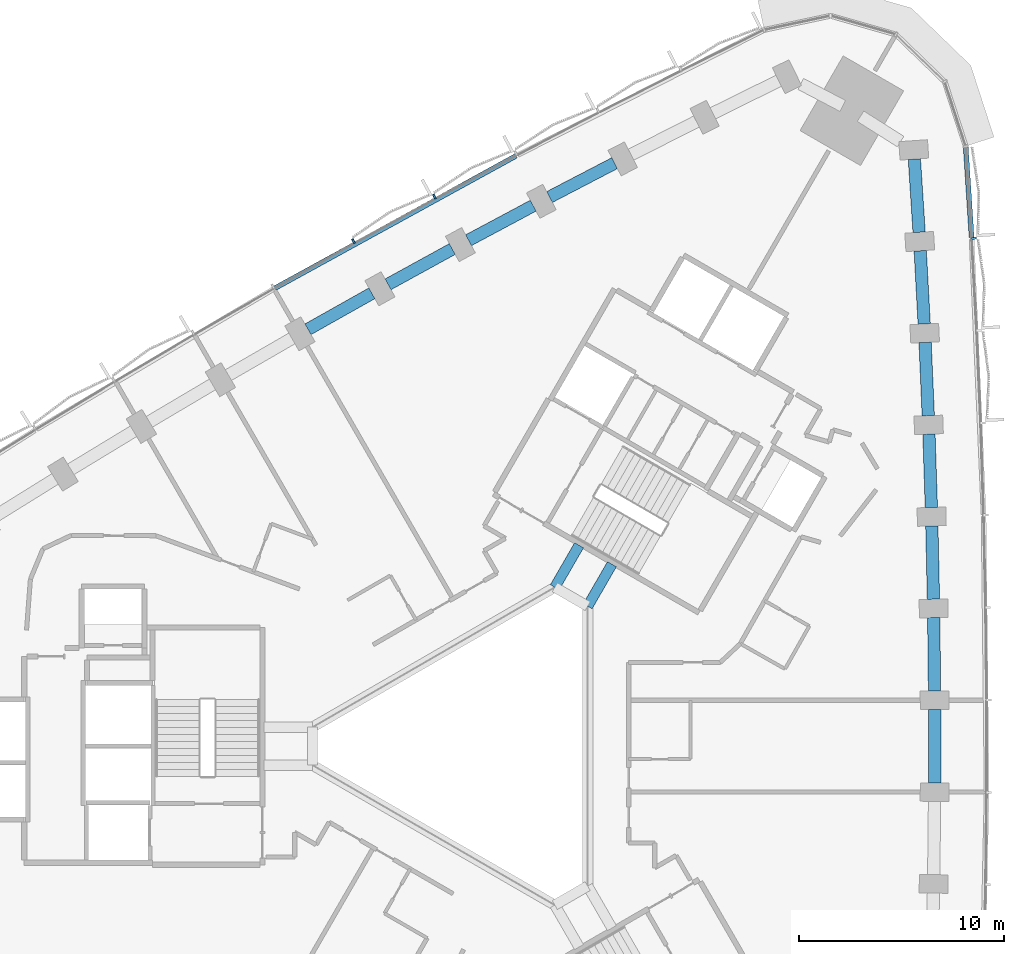
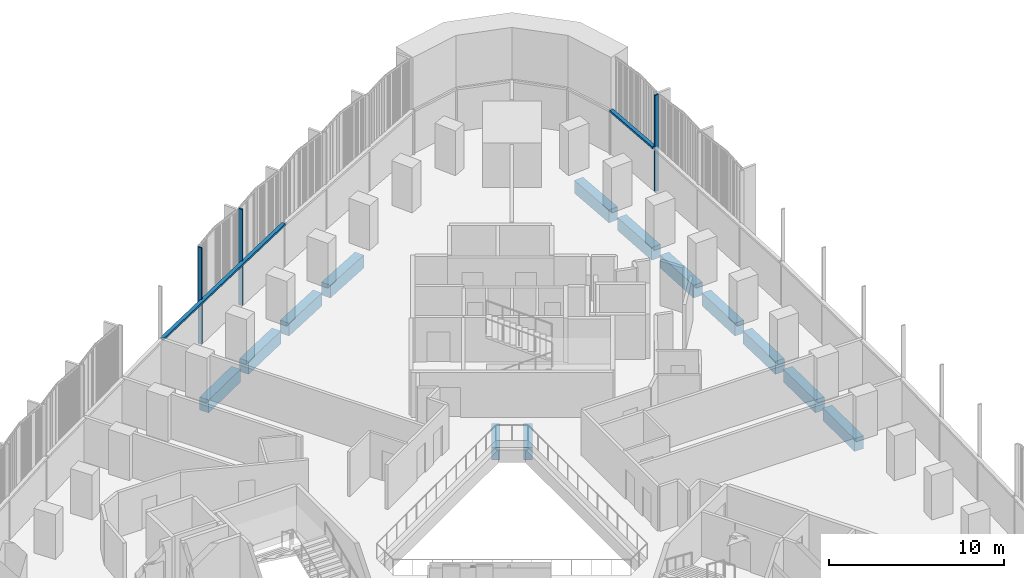
# One storey, part 5 of 16: 13 beams, 5 members, 2 elements without a shape of their own.
"""IFC4 building model written with IfcOpenShell, lengths in metres."""

import ifcopenshell
import ifcopenshell.guid

model = None  # the IFC model being written
_history = None  # IfcOwnerHistory: only IFC2X3 demands one
_inside = {}  # id of a spatial element -> (the spatial element, [elements in it])
_under = {}  # id of a project, library or spatial element -> (it, [spatial elements below it])
_declared = {}  # id of a project -> (the project, [libraries it declares])
_typed = {}  # id of a type object -> (the type object, [elements of that type])
_made_of = {}  # id of a material, layer set ... -> (it, [elements and type objects made of it])


def new_model(schema):
    """Start an empty IFC model of exactly this schema.

    Asked for "IFC4X3", IfcOpenShell would pick the latest addendum, in which some entities
    have other attributes; the version numbers below select the first issue.
    IFC2X3 requires an IfcOwnerHistory on every rooted entity: one is made here for all.
    """
    global model, _history
    if schema == "IFC4X3":
        model = ifcopenshell.file(schema_version=(4, 3, 0, 0))
    else:
        model = ifcopenshell.file(schema=schema)
    _inside.clear()
    _under.clear()
    _declared.clear()
    _typed.clear()
    _made_of.clear()
    _history = None
    if model.schema == "IFC2X3":
        org = make("IfcOrganization", Name="unknown")
        user = make(
            "IfcPersonAndOrganization",
            ThePerson=make("IfcPerson", FamilyName="unknown"),
            TheOrganization=org,
        )
        app = make(
            "IfcApplication",
            ApplicationDeveloper=org,
            Version="unknown",
            ApplicationFullName="unknown",
            ApplicationIdentifier="unknown",
        )
        _history = make(
            "IfcOwnerHistory",
            OwningUser=user,
            OwningApplication=app,
            ChangeAction="ADDED",
            CreationDate=0,
        )
    return model


def make(cls, **values):
    """One entity of the class cls with the attributes given. An attribute that is None is left unset."""
    return model.create_entity(
        cls, **{name: value for name, value in values.items() if value is not None}
    )


def rooted(cls, **values):
    """An entity with a GlobalId (a new one), such as an element, a storey or a relation."""
    return make(cls, GlobalId=ifcopenshell.guid.new(), OwnerHistory=_history, **values)


def si_unit(unit_type, name, prefix=None):
    """IfcSIUnit, for example si_unit("LENGTHUNIT", "METRE", prefix="MILLI")."""
    return make("IfcSIUnit", UnitType=unit_type, Prefix=prefix, Name=name)


def assignment(units):
    """IfcUnitAssignment: the units of a project."""
    return None if units is None else make("IfcUnitAssignment", Units=units)


def point(xyz):
    """IfcCartesianPoint."""
    return None if xyz is None else make("IfcCartesianPoint", Coordinates=xyz)


def direction(xyz):
    """IfcDirection."""
    return None if xyz is None else make("IfcDirection", DirectionRatios=xyz)


def frame(location, z_axis=None, x_axis=None):
    """IfcAxis2Placement3D, a coordinate frame: its origin and axes. An axis left out is left unset."""
    return make(
        "IfcAxis2Placement3D",
        Location=point(location),
        Axis=direction(z_axis),
        RefDirection=direction(x_axis),
    )


def frame_2d(location, x_axis=None):
    """IfcAxis2Placement2D, a coordinate frame in the plane: its origin and x axis."""
    return make(
        "IfcAxis2Placement2D", Location=point(location), RefDirection=direction(x_axis)
    )


def origin():
    """The frame at (0, 0, 0) with its axes left unset."""
    return frame((0.0, 0.0, 0.0))


def origin_2d():
    """The frame at (0, 0) in the plane with its x axis left unset."""
    return frame_2d((0.0, 0.0))


def place(relative_to, where):
    """IfcLocalPlacement: puts the frame where relative to a parent placement (None: the world)."""
    return make(
        "IfcLocalPlacement", PlacementRelTo=relative_to, RelativePlacement=where
    )


def context(
    kind, dimensions, precision=None, world=None, true_north=None, identifier=None
):
    """IfcGeometricRepresentationContext, for example the 3D "Model" context."""
    return make(
        "IfcGeometricRepresentationContext",
        ContextIdentifier=identifier,
        ContextType=kind,
        CoordinateSpaceDimension=dimensions,
        Precision=precision,
        WorldCoordinateSystem=world,
        TrueNorth=true_north,
    )


def subcontext(parent, identifier, kind, view, scale=None):
    """IfcGeometricRepresentationSubContext, for example "Body" below "Model"."""
    return make(
        "IfcGeometricRepresentationSubContext",
        ContextIdentifier=identifier,
        ContextType=kind,
        ParentContext=parent,
        TargetScale=scale,
        TargetView=view,
    )


def project(units=None, contexts=None):
    """IfcProject with its units and contexts."""
    return rooted(
        "IfcProject",
        Name="project",
        RepresentationContexts=contexts,
        UnitsInContext=assignment(units),
    )


def spatial(cls, under=None, at=None, **own):
    """A site, building, storey or space (cls), placed at a placement, below another one or the project."""
    s = rooted(cls, ObjectPlacement=at, **own)
    if under is not None:
        _under.setdefault(under.id(), (under, []))[1].append(s)
    return s


def profile(cls, at=None, kind="AREA", **sizes):
    """A parametric profile (cls). Its sizes go by their IFC names, for example OverallWidth=200.0."""
    return make(cls, ProfileType=kind, Position=at, **sizes)


def rectangle(**sizes):
    """IfcRectangleProfileDef."""
    return profile("IfcRectangleProfileDef", **sizes)


def extrude(swept, where, along, depth):
    """IfcExtrudedAreaSolid: the profile swept, set in the frame where, extruded along a direction by depth."""
    return make(
        "IfcExtrudedAreaSolid",
        SweptArea=swept,
        Position=where,
        ExtrudedDirection=direction(along),
        Depth=depth,
    )


def shape(context_of_items, identifier, shape_type, items):
    """IfcShapeRepresentation: the items that make up one representation, for example the "Body"."""
    return make(
        "IfcShapeRepresentation",
        ContextOfItems=context_of_items,
        RepresentationIdentifier=identifier,
        RepresentationType=shape_type,
        Items=items,
    )


def material(Name=None, Category=None):
    """IfcMaterial."""
    return make("IfcMaterial", Name=Name, Category=Category)


def material_profile(
    of_material, cross_section, Name=None, Category=None, Priority=None
):
    """IfcMaterialProfile: a cross section and its material."""
    return make(
        "IfcMaterialProfile",
        Name=Name,
        Material=of_material,
        Profile=cross_section,
        Priority=Priority,
        Category=Category,
    )


def profile_set(profiles, Name=None, composite=None):
    """IfcMaterialProfileSet."""
    return make(
        "IfcMaterialProfileSet",
        Name=Name,
        MaterialProfiles=profiles,
        CompositeProfile=composite,
    )


def made_of(thing, what):
    """Note that an element or type object is made of a material, layer set ...; save() writes the relation."""
    if what is not None:
        _made_of.setdefault(what.id(), (what, []))[1].append(thing)
    return thing


def type_object(cls, material=None, **own):
    """A type object (cls), such as IfcWallType, which elements share."""
    return made_of(rooted(cls, **own), material)


def element(
    cls,
    number,
    at=None,
    inside=None,
    cuts=None,
    type_object=None,
    material=None,
    context=None,
    identifier="Body",
    shape_type=None,
    held_by="IfcProductDefinitionShape",
    body=None,
    shapes=None,
    **own,
):
    """One element of the class cls, such as IfcWall. Its Tag is "e" and its number.

    at: its placement. inside: the storey or other place that contains it. cuts: it is an
    opening in that element (IfcRelVoidsElement). A single representation is given by context,
    identifier, shape_type and body (its items); several are given by shapes. held_by: the class
    of the entity that holds the representations. save() writes the other relations.
    """
    e = rooted(cls, Tag="e%d" % number, ObjectPlacement=at, **own)
    if body is not None:
        shapes = [shape(context, identifier, shape_type, body)]
    if shapes is not None:
        e.Representation = make(held_by, Representations=shapes)
    if inside is not None:
        _inside.setdefault(inside.id(), (inside, []))[1].append(e)
    if cuts is not None:
        rooted(
            "IfcRelVoidsElement", RelatingBuildingElement=cuts, RelatedOpeningElement=e
        )
    if type_object is not None:
        _typed.setdefault(type_object.id(), (type_object, []))[1].append(e)
    return made_of(e, material)


def aggregate(whole, parts):
    """IfcRelAggregates: a whole, such as a stair, and the parts it consists of."""
    return rooted("IfcRelAggregates", RelatingObject=whole, RelatedObjects=parts)


def save(model, path):
    """Write the relations noted so far, then the file.

    IfcRelAggregates (storeys below a building ...), IfcRelContainedInSpatialStructure (elements
    in a storey), IfcRelDefinesByType, IfcRelAssociatesMaterial and IfcRelDeclares: one each for
    every whole, place, type object, material and project.
    """
    for whole, parts in _under.values():
        aggregate(whole, parts)
    for where, things in _inside.values():
        rooted(
            "IfcRelContainedInSpatialStructure",
            RelatedElements=things,
            RelatingStructure=where,
        )
    for kind, things in _typed.values():
        rooted("IfcRelDefinesByType", RelatedObjects=things, RelatingType=kind)
    for what, things in _made_of.values():
        rooted("IfcRelAssociatesMaterial", RelatedObjects=things, RelatingMaterial=what)
    for by, libraries in _declared.values():
        rooted("IfcRelDeclares", RelatingContext=by, RelatedDefinitions=libraries)
    model.write(path)


model = new_model("IFC4")

# Units and contexts
model_context = context("Model", 3, precision=1e-05, world=origin(), true_north=direction((0.0, 1.0)))
body_context = subcontext(model_context, "Body", "Model", "MODEL_VIEW")
ifc_project = project(units=[si_unit("LENGTHUNIT", "METRE"), si_unit("AREAUNIT", "SQUARE_METRE"), si_unit("VOLUMEUNIT", "CUBIC_METRE"), si_unit("PLANEANGLEUNIT", "RADIAN"), si_unit("MASSUNIT", "GRAM", prefix="KILO")], contexts=[model_context])

# Site, building, storey
site_placement = place(None, origin())
site = spatial("IfcSite", under=ifc_project, at=site_placement, CompositionType="ELEMENT")
building_placement = place(site_placement, origin())
building = spatial("IfcBuilding", under=site, at=building_placement, Name="Tamra Quay Hotel Tower", CompositionType="ELEMENT")
storey_placement = place(building_placement, frame((0.0, 0.0, 45.800048828125)))
storey = spatial("IfcBuildingStorey", under=building, at=storey_placement, Name="L09", CompositionType="ELEMENT", Elevation=45.800048828125)

# Beams
ifc_material_1 = material(Name="Concrete M60", Category="concrete")
ifc_material_profile_1 = material_profile(ifc_material_1, rectangle(XDim=0.5, YDim=0.89990234375, at=origin_2d()), Name="ATRIUM TIE BEAM RC 500x900")
ifc_profile_set_1 = profile_set([ifc_material_profile_1], Name="Concrete M60")
beam_type_1 = type_object("IfcBeamType", Name="ATRIUM TIE BEAM RC 500x900", PredefinedType="BEAM", material=ifc_profile_set_1)
for number, where, z_axis, x_axis, name in (
    (1, (5.0, 6.812744140625, -0.925048828125), (0.500029618126, 0.866008303076, 0.0), (-0.866008303076, 0.500029618126, 0.0), "BM-TIE-0-L09"),
    (2, (3.39990234375, 7.736572265625, -0.925048828125), (0.500029618126, 0.866008303076, 0.0), (-0.866008303076, 0.500029618126, 0.0), "BM-TIE-5-L09"),
):
    element("IfcBeam", number, at=place(storey_placement, frame(where, z_axis=z_axis, x_axis=x_axis)), inside=storey, type_object=beam_type_1, Name=name, PredefinedType="BEAM", context=body_context, shape_type="SweptSolid", body=[
        extrude(rectangle(XDim=0.5, YDim=0.89990234375, at=origin_2d()), origin(), (0.0, 0.0, 1.0), 2.362060546875),
    ])

# Curtain wall, member
ifc_material_2 = material(Name="Aluminium 6063 anodised dark grey", Category="aluminium")
curtain_wall_type_1 = type_object("IfcCurtainWallType", Name="CW1 CURTAIN WALL", PredefinedType="NOTDEFINED", material=ifc_material_2)
curtain_wall_1_placement = place(storey_placement, origin())
curtain_wall_1 = element("IfcCurtainWall", 3, at=curtain_wall_1_placement, inside=storey, type_object=curtain_wall_type_1, Name="CW1 east face L09", PredefinedType="NOTDEFINED")
ifc_material_profile_2 = material_profile(ifc_material_2, rectangle(XDim=0.239990234375, YDim=0.10009765625, at=origin_2d()), Name="MULLION 100X240")
ifc_profile_set_2 = profile_set([ifc_material_profile_2], Name="Aluminium 6063 anodised dark grey")
member_type_1 = type_object("IfcMemberType", Name="MULLION CW1 Z1", PredefinedType="MULLION", material=ifc_profile_set_2)
member_1_placement = place(storey_placement, frame((23.81982421875, 24.73095703125, 0.0), z_axis=(0.0, 0.0, 1.0), x_axis=(0.998231971154, 0.05943847042, 0.0)))
member_1 = element("IfcMember", 4, at=member_1_placement, type_object=member_type_1, Name="CW1 mullion L09.E.13", PredefinedType="MULLION", context=body_context, shape_type="SweptSolid", body=[
    extrude(rectangle(XDim=0.239990234375, YDim=0.10009765625, at=origin_2d()), origin(), (0.0, 0.0, 1.0), 6.724853515625),
])

# Curtain wall, members
curtain_wall_type_2 = type_object("IfcCurtainWallType", Name="CW2 CURTAIN WALL", PredefinedType="NOTDEFINED", material=ifc_material_2)
curtain_wall_2_placement = place(storey_placement, origin())
curtain_wall_2 = element("IfcCurtainWall", 5, at=curtain_wall_2_placement, inside=storey, type_object=curtain_wall_type_2, Name="CW2 north-west face L09", PredefinedType="NOTDEFINED")
ifc_material_profile_3 = material_profile(ifc_material_2, rectangle(XDim=0.239990234375, YDim=0.10009765625, at=origin_2d()), Name="MULLION 100X240")
ifc_profile_set_3 = profile_set([ifc_material_profile_3], Name="Aluminium 6063 anodised dark grey")
member_type_2 = type_object("IfcMemberType", Name="MULLION CW2 Z1", PredefinedType="MULLION", material=ifc_profile_set_3)
member_2_placement = place(storey_placement, frame((-2.4619140625, 26.7578125, 0.0), z_axis=(0.0, 0.0, 1.0), x_axis=(-0.476376526936, 0.87924138016, 0.0)))
member_2 = element("IfcMember", 6, at=member_2_placement, type_object=member_type_2, Name="CW2 mullion L09.NW.5", PredefinedType="MULLION", context=body_context, shape_type="SweptSolid", body=[
    extrude(rectangle(XDim=0.239990234375, YDim=0.10009765625, at=origin_2d()), origin(), (0.0, 0.0, 1.0), 6.724853515625),
])
member_3_placement = place(storey_placement, frame((-6.406982421875, 24.592529296875, 0.0), z_axis=(0.0, 0.0, 1.0), x_axis=(-0.485863802361, 0.874034533388, 0.0)))
member_3 = element("IfcMember", 7, at=member_3_placement, type_object=member_type_2, Name="CW2 mullion L09.NW.6", PredefinedType="MULLION", context=body_context, shape_type="SweptSolid", body=[
    extrude(rectangle(XDim=0.239990234375, YDim=0.10009765625, at=origin_2d()), origin(), (0.0, 0.0, 1.0), 6.724853515625),
])

# Beams
ifc_material_profile_4 = material_profile(ifc_material_1, rectangle(XDim=0.60009765625, YDim=0.89990234375, at=origin_2d()), Name="SPANDREL BEAM RC 600x900")
ifc_profile_set_4 = profile_set([ifc_material_profile_4], Name="Concrete M60")
beam_type_2 = type_object("IfcBeamType", Name="SPANDREL BEAM RC 600x900", PredefinedType="SPANDREL", material=ifc_profile_set_4)
beam_1_placement = place(storey_placement, frame((21.894287109375, -1.785400390625, -0.925048828125), z_axis=(0.0, 1.0, 0.0), x_axis=(-1.0, 0.0, 0.0)))
element("IfcBeam", 8, at=beam_1_placement, inside=storey, type_object=beam_type_2, Name="BM-SP1-006-L09", PredefinedType="SPANDREL", context=body_context, shape_type="SweptSolid", body=[
    extrude(rectangle(XDim=0.60009765625, YDim=0.89990234375, at=origin_2d()), origin(), (0.0, 0.0, 1.0), 3.57080078125),
])
beam_2_placement = place(storey_placement, frame((21.889404296875, 2.685302734375, -0.925048828125), z_axis=(-0.010803527021, 0.999941640199, 0.0), x_axis=(-0.999941640199, -0.010803527021, 0.0)))
element("IfcBeam", 9, at=beam_2_placement, inside=storey, type_object=beam_type_2, Name="BM-SP1-007-L09", PredefinedType="SPANDREL", context=body_context, shape_type="SweptSolid", body=[
    extrude(rectangle(XDim=0.60009765625, YDim=0.89990234375, at=origin_2d()), origin(), (0.0, 0.0, 1.0), 3.570556640625),
])
beam_3_placement = place(storey_placement, frame((21.836181640625, 7.155517578125, -0.925048828125), z_axis=(-0.021679013576, 0.999764982569, 0.0), x_axis=(-0.999764982569, -0.021679013576, 0.0)))
element("IfcBeam", 10, at=beam_3_placement, inside=storey, type_object=beam_type_2, Name="BM-SP1-008-L09", PredefinedType="SPANDREL", context=body_context, shape_type="SweptSolid", body=[
    extrude(rectangle(XDim=0.60009765625, YDim=0.89990234375, at=origin_2d()), origin(), (0.0, 0.0, 1.0), 3.56982421875),
])
for number, where, z_axis, x_axis, name in (
    (11, (21.734619140625, 11.624267578125, -0.925048828125), (-0.032547568535, 0.999470187541, 0.0), (-0.999470187541, -0.032547568535, 0.0), "BM-SP1-009-L09"),
    (12, (21.58447265625, 16.09228515625, -0.925048828125), (-0.043282922957, 0.99906285517, 0.0), (-0.99906285517, -0.043282922957, 0.0), "BM-SP1-010-L09"),
):
    element("IfcBeam", number, at=place(storey_placement, frame(where, z_axis=z_axis, x_axis=x_axis)), inside=storey, type_object=beam_type_2, Name=name, PredefinedType="SPANDREL", context=body_context, shape_type="SweptSolid", body=[
        extrude(rectangle(XDim=0.60009765625, YDim=0.89990234375, at=origin_2d()), origin(), (0.0, 0.0, 1.0), 3.570556640625),
    ])
beam_4_placement = place(storey_placement, frame((21.385986328125, 20.558349609375, -0.925048828125), z_axis=(-0.054026860576, 0.998539482613, 0.0), x_axis=(-0.998539482613, -0.054026860576, 0.0)))
element("IfcBeam", 13, at=beam_4_placement, inside=storey, type_object=beam_type_2, Name="BM-SP1-011-L09", PredefinedType="SPANDREL", context=body_context, shape_type="SweptSolid", body=[
    extrude(rectangle(XDim=0.60009765625, YDim=0.89990234375, at=origin_2d()), origin(), (0.0, 0.0, 1.0), 3.56982421875),
])
beam_5_placement = place(storey_placement, frame((21.139404296875, 25.021484375, -0.925048828125), z_axis=(-0.064749077985, 0.99790157676, 0.0), x_axis=(-0.99790157676, -0.064749077985, 0.0)))
element("IfcBeam", 14, at=beam_5_placement, inside=storey, type_object=beam_type_2, Name="BM-SP1-012-L09", PredefinedType="SPANDREL", context=body_context, shape_type="SweptSolid", body=[
    extrude(rectangle(XDim=0.60009765625, YDim=0.89990234375, at=origin_2d()), origin(), (0.0, 0.0, 1.0), 3.57080078125),
])
beam_6_placement = place(storey_placement, frame((6.310546875, 28.388427734375, -0.925048828125), z_axis=(-0.886863886749, -0.462030785101, 0.0), x_axis=(0.462030785101, -0.886863886749, 0.0)))
element("IfcBeam", 15, at=beam_6_placement, inside=storey, type_object=beam_type_2, Name="BM-SP1-017-L09", PredefinedType="SPANDREL", context=body_context, shape_type="SweptSolid", body=[
    extrude(rectangle(XDim=0.60009765625, YDim=0.89990234375, at=origin_2d()), origin(), (0.0, 0.0, 1.0), 3.570556640625),
])
beam_7_placement = place(storey_placement, frame((2.34814453125, 26.318603515625, -0.925048828125), z_axis=(-0.881809110934, -0.471606501094, 0.0), x_axis=(0.471606501094, -0.881809110934, 0.0)))
element("IfcBeam", 16, at=beam_7_placement, inside=storey, type_object=beam_type_2, Name="BM-SP1-018-L09", PredefinedType="SPANDREL", context=body_context, shape_type="SweptSolid", body=[
    extrude(rectangle(XDim=0.60009765625, YDim=0.89990234375, at=origin_2d()), origin(), (0.0, 0.0, 1.0), 3.5703125),
])
beam_8_placement = place(storey_placement, frame((-1.591796875, 24.2060546875, -0.925048828125), z_axis=(-0.876617015828, -0.481188744216, 0.0), x_axis=(0.481188744216, -0.876617015828, 0.0)))
element("IfcBeam", 17, at=beam_8_placement, inside=storey, type_object=beam_type_2, Name="BM-SP1-019-L09", PredefinedType="SPANDREL", context=body_context, shape_type="SweptSolid", body=[
    extrude(rectangle(XDim=0.60009765625, YDim=0.89990234375, at=origin_2d()), origin(), (0.0, 0.0, 1.0), 3.56982421875),
])
beam_9_placement = place(storey_placement, frame((-5.5078125, 22.051025390625, -0.925048828125), z_axis=(-0.871431243693, -0.49051767299, 0.0), x_axis=(0.49051767299, -0.871431243693, 0.0)))
element("IfcBeam", 18, at=beam_9_placement, inside=storey, type_object=beam_type_2, Name="BM-SP1-020-L09", PredefinedType="SPANDREL", context=body_context, shape_type="SweptSolid", body=[
    extrude(rectangle(XDim=0.60009765625, YDim=0.89990234375, at=origin_2d()), origin(), (0.0, 0.0, 1.0), 3.570556640625),
])

# Member
ifc_material_profile_5 = material_profile(ifc_material_2, rectangle(XDim=0.239990234375, YDim=0.139892578125, at=origin_2d()), Name="TRANSOM 240X140")
ifc_profile_set_5 = profile_set([ifc_material_profile_5], Name="Aluminium 6063 anodised dark grey")
member_type_3 = type_object("IfcMemberType", Name="TRANSOM CW1 Z1", PredefinedType="USERDEFINED", material=ifc_profile_set_5)
member_4_placement = place(storey_placement, frame((23.69677734375, 24.773681640625, 3.054931640625), z_axis=(-0.064805058394, 0.997897942881, 0.0), x_axis=(-0.997897942881, -0.064805058394, 0.0)))
member_4 = element("IfcMember", 19, at=member_4_placement, type_object=member_type_3, Name="CW1 transom L09.E.13", ObjectType="TRANSOM", PredefinedType="USERDEFINED", context=body_context, shape_type="SweptSolid", body=[
    extrude(rectangle(XDim=0.239990234375, YDim=0.139892578125, at=origin_2d()), origin(), (0.0, 0.0, 1.0), 4.396484375),
])

aggregate(curtain_wall_1, [member_1, member_4])

ifc_material_profile_6 = material_profile(ifc_material_2, rectangle(XDim=0.239990234375, YDim=0.139892578125, at=origin_2d()), Name="TRANSOM 240X140")
ifc_profile_set_6 = profile_set([ifc_material_profile_6], Name="Aluminium 6063 anodised dark grey")
member_type_4 = type_object("IfcMemberType", Name="TRANSOM CW2 Z1", PredefinedType="USERDEFINED", material=ifc_profile_set_6)
member_5_placement = place(storey_placement, frame((1.516845703125, 28.749755859375, 3.054931640625), z_axis=(-0.876646998642, -0.481134118279, 0.0), x_axis=(0.481134118279, -0.876646998642, 0.0)))
member_5 = element("IfcMember", 20, at=member_5_placement, type_object=member_type_4, Name="CW2 transom L09.NW.4", ObjectType="TRANSOM", PredefinedType="USERDEFINED", context=body_context, shape_type="SweptSolid", body=[
    extrude(rectangle(XDim=0.239990234375, YDim=0.139892578125, at=origin_2d()), origin(), (0.0, 0.0, 1.0), 13.39306640625),
])

aggregate(curtain_wall_2, [member_5, member_2, member_3])

save(model, "model.ifc")
